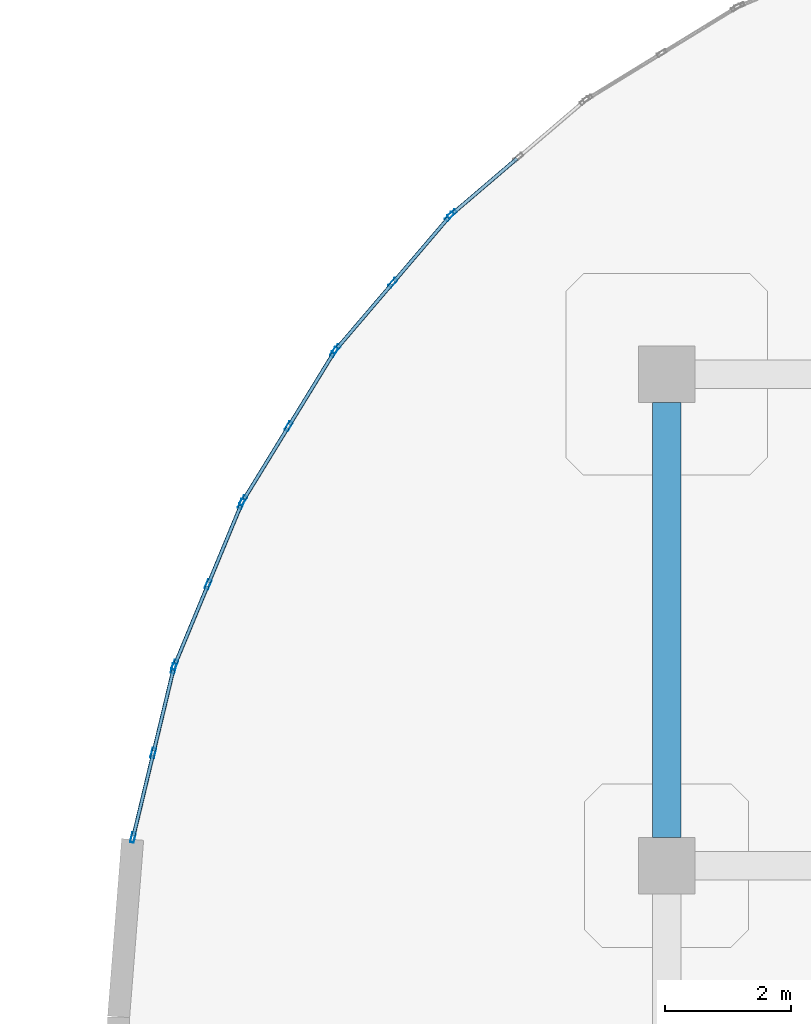
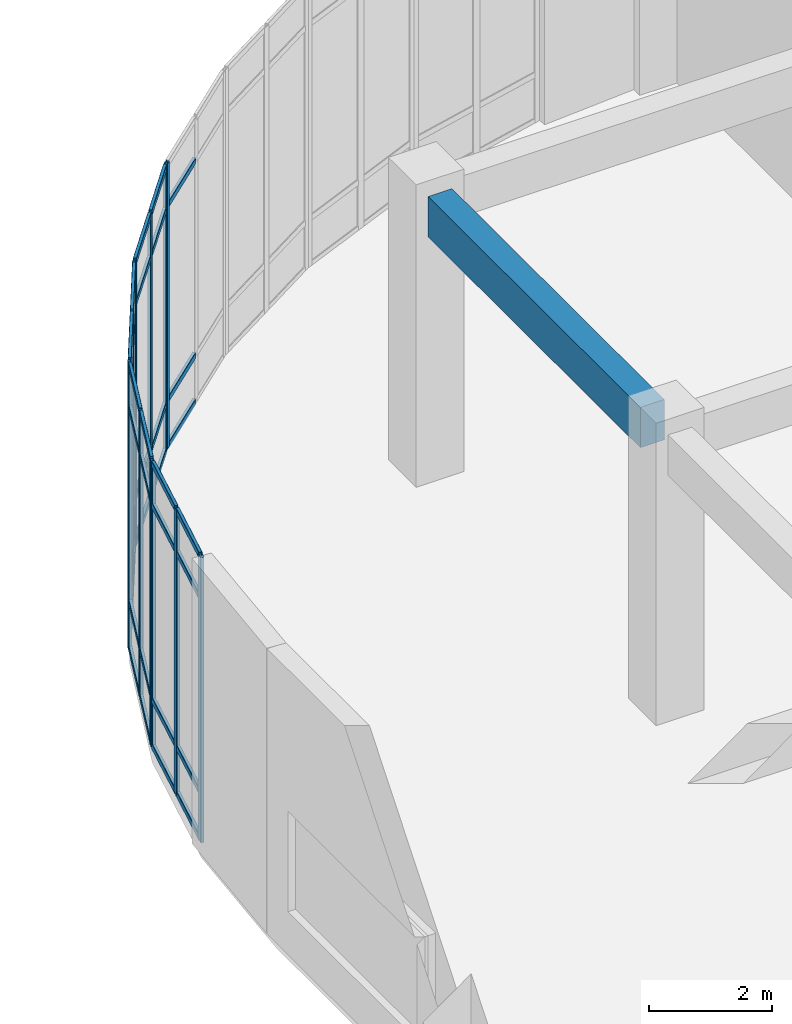
# One storey, part 20 of 82: 48 members, 1 beam, 5 elements without a shape of their own.
"""IFC4 building model written with IfcOpenShell, lengths in metres."""

from ifc_helpers import new_model, si_unit, derived_unit, direction, frame, origin, origin_2d, place, context, subcontext, project, spatial, rectangle, hollow_rectangle, extrude, material, layer, layer_set, material_profile, profile_set, type_object, element, aggregate, save


model = new_model("IFC4")

# Units and contexts
model_context = context("Model", 3, precision=1e-05, world=origin(), true_north=direction((0.0, 1.0)))
body_context = subcontext(model_context, "Body", "Model", "MODEL_VIEW")
ifc_project = project(units=[si_unit("LENGTHUNIT", "METRE"), si_unit("AREAUNIT", "SQUARE_METRE"), si_unit("VOLUMEUNIT", "CUBIC_METRE"), si_unit("PLANEANGLEUNIT", "RADIAN"), si_unit("MASSUNIT", "GRAM", prefix="KILO"), derived_unit("THERMALTRANSMITTANCEUNIT", [(si_unit("MASSUNIT", "GRAM", prefix="KILO"), 1), (si_unit("TIMEUNIT", "SECOND"), -3), (si_unit("THERMODYNAMICTEMPERATUREUNIT", "KELVIN"), -1)])], contexts=[model_context])

# Site, building, storey
site_placement = place(None, origin())
site = spatial("IfcSite", under=ifc_project, at=site_placement, CompositionType="ELEMENT")
building_placement = place(site_placement, origin())
building = spatial("IfcBuilding", under=site, at=building_placement, Name="Qinzheling Arcade Emporium", CompositionType="ELEMENT")
storey_placement = place(building_placement, origin())
storey = spatial("IfcBuildingStorey", under=building, at=storey_placement, Name="L01", CompositionType="ELEMENT", Elevation=0.0)

# Curtain wall, members
ifc_material_1 = material(Name="Anodised aluminium and solar-control double glazing", Category="aluminium")
ifc_layer = layer(ifc_material_1, 0.159912109375, Name="Anodised aluminium and solar-control double glazing", Category="aluminium")
ifc_layer_set = layer_set([ifc_layer], Name="Anodised aluminium and solar-control double glazing")
curtain_wall_type = type_object("IfcCurtainWallType", Name="Curved Ribbon Sales Curtain Wall", PredefinedType="NOTDEFINED", material=ifc_layer_set)
curtain_wall_1_placement = place(storey_placement, origin())
curtain_wall_1 = element("IfcCurtainWall", 1, at=curtain_wall_1_placement, inside=storey, type_object=curtain_wall_type, Name="Curtain Wall CW-L01-027", PredefinedType="NOTDEFINED")
ifc_material_2 = material(Name="Anodised aluminium 6063-T6", Category="aluminium")
ifc_material_profile_1 = material_profile(ifc_material_2, hollow_rectangle(XDim=0.06005859375, YDim=0.159912109375, WallThickness=0.00390625, InnerFilletRadius=0.00390625, OuterFilletRadius=0.008056640625, at=origin_2d()), Name="RHS 160x60x4", Category="aluminium")
ifc_profile_set_1 = profile_set([ifc_material_profile_1], Name="Anodised aluminium 6063-T6")
member_type_1 = type_object("IfcMemberType", Name="Curtain Wall Mullion RHS160x60", PredefinedType="MULLION", material=ifc_profile_set_1)
member_1_placement = place(storey_placement, frame((52.428955078125, 99.445068359375, 0.0), z_axis=(0.0, 0.0, 1.0), x_axis=(-0.972390516216, 0.233359559423, 0.0)))
member_1 = element("IfcMember", 2, at=member_1_placement, type_object=member_type_1, Name="CW02 mullion 1", PredefinedType="MULLION", context=body_context, shape_type="SweptSolid", body=[
    extrude(hollow_rectangle(XDim=0.06005859375, YDim=0.159912109375, WallThickness=0.00390625, InnerFilletRadius=0.00390625, OuterFilletRadius=0.008056640625, at=origin_2d()), origin(), (0.0, 0.0, 1.0), 5.659912109375),
])
member_2_placement = place(storey_placement, frame((52.75146484375, 100.7890625, 0.0), z_axis=(0.0, 0.0, 1.0), x_axis=(-0.972390516216, 0.233359559423, 0.0)))
member_2 = element("IfcMember", 3, at=member_2_placement, type_object=member_type_1, Name="CW02 mullion 2", PredefinedType="MULLION", context=body_context, shape_type="SweptSolid", body=[
    extrude(hollow_rectangle(XDim=0.06005859375, YDim=0.159912109375, WallThickness=0.00390625, InnerFilletRadius=0.00390625, OuterFilletRadius=0.008056640625, at=origin_2d()), origin(), (0.0, 0.0, 1.0), 5.659912109375),
])
member_3_placement = place(storey_placement, frame((53.073974609375, 102.1328125, 0.0), z_axis=(0.0, 0.0, 1.0), x_axis=(-0.972390516216, 0.233359559423, 0.0)))
member_3 = element("IfcMember", 4, at=member_3_placement, type_object=member_type_1, Name="CW02 mullion 3", PredefinedType="MULLION", context=body_context, shape_type="SweptSolid", body=[
    extrude(hollow_rectangle(XDim=0.06005859375, YDim=0.159912109375, WallThickness=0.00390625, InnerFilletRadius=0.00390625, OuterFilletRadius=0.008056640625, at=origin_2d()), origin(), (0.0, 0.0, 1.0), 5.659912109375),
])

curtain_wall_2_placement = place(storey_placement, origin())
curtain_wall_2 = element("IfcCurtainWall", 5, at=curtain_wall_2_placement, inside=storey, type_object=curtain_wall_type, Name="Curtain Wall CW-L01-028", PredefinedType="NOTDEFINED")
member_4_placement = place(storey_placement, frame((53.092529296875, 102.189697265625, 0.0), z_axis=(0.0, 0.0, 1.0), x_axis=(-0.923891721508, 0.382654004198, 0.0)))
member_4 = element("IfcMember", 6, at=member_4_placement, type_object=member_type_1, Name="CW02 mullion 1", PredefinedType="MULLION", context=body_context, shape_type="SweptSolid", body=[
    extrude(hollow_rectangle(XDim=0.06005859375, YDim=0.159912109375, WallThickness=0.00390625, InnerFilletRadius=0.00390625, OuterFilletRadius=0.008056640625, at=origin_2d()), origin(), (0.0, 0.0, 1.0), 5.659912109375),
])
member_5_placement = place(storey_placement, frame((53.62158203125, 103.467041015625, 0.0), z_axis=(0.0, 0.0, 1.0), x_axis=(-0.923891721508, 0.382654004198, 0.0)))
member_5 = element("IfcMember", 7, at=member_5_placement, type_object=member_type_1, Name="CW02 mullion 2", PredefinedType="MULLION", context=body_context, shape_type="SweptSolid", body=[
    extrude(hollow_rectangle(XDim=0.06005859375, YDim=0.159912109375, WallThickness=0.00390625, InnerFilletRadius=0.00390625, OuterFilletRadius=0.008056640625, at=origin_2d()), origin(), (0.0, 0.0, 1.0), 5.659912109375),
])
member_6_placement = place(storey_placement, frame((54.150634765625, 104.744384765625, 0.0), z_axis=(0.0, 0.0, 1.0), x_axis=(-0.923891721508, 0.382654004198, 0.0)))
member_6 = element("IfcMember", 8, at=member_6_placement, type_object=member_type_1, Name="CW02 mullion 3", PredefinedType="MULLION", context=body_context, shape_type="SweptSolid", body=[
    extrude(hollow_rectangle(XDim=0.06005859375, YDim=0.159912109375, WallThickness=0.00390625, InnerFilletRadius=0.00390625, OuterFilletRadius=0.008056640625, at=origin_2d()), origin(), (0.0, 0.0, 1.0), 5.659912109375),
])

curtain_wall_3_placement = place(storey_placement, origin())
curtain_wall_3 = element("IfcCurtainWall", 9, at=curtain_wall_3_placement, inside=storey, type_object=curtain_wall_type, Name="Curtain Wall CW-L01-029", PredefinedType="NOTDEFINED")
member_7_placement = place(storey_placement, frame((54.177734375, 104.797607421875, 0.0), z_axis=(0.0, 0.0, 1.0), x_axis=(-0.852580897222, 0.522595267575, 0.0)))
member_7 = element("IfcMember", 10, at=member_7_placement, type_object=member_type_1, Name="CW02 mullion 1", PredefinedType="MULLION", context=body_context, shape_type="SweptSolid", body=[
    extrude(hollow_rectangle(XDim=0.06005859375, YDim=0.159912109375, WallThickness=0.00390625, InnerFilletRadius=0.00390625, OuterFilletRadius=0.008056640625, at=origin_2d()), origin(), (0.0, 0.0, 1.0), 5.659912109375),
])
member_8_placement = place(storey_placement, frame((54.89990234375, 105.97607421875, 0.0), z_axis=(0.0, 0.0, 1.0), x_axis=(-0.852580897222, 0.522595267575, 0.0)))
member_8 = element("IfcMember", 11, at=member_8_placement, type_object=member_type_1, Name="CW02 mullion 2", PredefinedType="MULLION", context=body_context, shape_type="SweptSolid", body=[
    extrude(hollow_rectangle(XDim=0.06005859375, YDim=0.159912109375, WallThickness=0.00390625, InnerFilletRadius=0.00390625, OuterFilletRadius=0.008056640625, at=origin_2d()), origin(), (0.0, 0.0, 1.0), 5.659912109375),
])
member_9_placement = place(storey_placement, frame((55.622314453125, 107.154541015625, 0.0), z_axis=(0.0, 0.0, 1.0), x_axis=(-0.852580897222, 0.522595267575, 0.0)))
member_9 = element("IfcMember", 12, at=member_9_placement, type_object=member_type_1, Name="CW02 mullion 3", PredefinedType="MULLION", context=body_context, shape_type="SweptSolid", body=[
    extrude(hollow_rectangle(XDim=0.06005859375, YDim=0.159912109375, WallThickness=0.00390625, InnerFilletRadius=0.00390625, OuterFilletRadius=0.008056640625, at=origin_2d()), origin(), (0.0, 0.0, 1.0), 5.659912109375),
])

curtain_wall_4_placement = place(storey_placement, origin())
curtain_wall_4 = element("IfcCurtainWall", 13, at=curtain_wall_4_placement, inside=storey, type_object=curtain_wall_type, Name="Curtain Wall CW-L01-030", PredefinedType="NOTDEFINED")
member_10_placement = place(storey_placement, frame((55.657470703125, 107.202880859375, 0.0), z_axis=(0.0, 0.0, 1.0), x_axis=(-0.760504799831, 0.64933231048, 0.0)))
member_10 = element("IfcMember", 14, at=member_10_placement, type_object=member_type_1, Name="CW02 mullion 1", PredefinedType="MULLION", context=body_context, shape_type="SweptSolid", body=[
    extrude(hollow_rectangle(XDim=0.06005859375, YDim=0.159912109375, WallThickness=0.00390625, InnerFilletRadius=0.00390625, OuterFilletRadius=0.008056640625, at=origin_2d()), origin(), (0.0, 0.0, 1.0), 5.659912109375),
])
member_11_placement = place(storey_placement, frame((56.554931640625, 108.25390625, 0.0), z_axis=(0.0, 0.0, 1.0), x_axis=(-0.760504799831, 0.64933231048, 0.0)))
member_11 = element("IfcMember", 15, at=member_11_placement, type_object=member_type_1, Name="CW02 mullion 2", PredefinedType="MULLION", context=body_context, shape_type="SweptSolid", body=[
    extrude(hollow_rectangle(XDim=0.06005859375, YDim=0.159912109375, WallThickness=0.00390625, InnerFilletRadius=0.00390625, OuterFilletRadius=0.008056640625, at=origin_2d()), origin(), (0.0, 0.0, 1.0), 5.659912109375),
])
member_12_placement = place(storey_placement, frame((57.45263671875, 109.30517578125, 0.0), z_axis=(0.0, 0.0, 1.0), x_axis=(-0.760504799831, 0.64933231048, 0.0)))
member_12 = element("IfcMember", 16, at=member_12_placement, type_object=member_type_1, Name="CW02 mullion 3", PredefinedType="MULLION", context=body_context, shape_type="SweptSolid", body=[
    extrude(hollow_rectangle(XDim=0.06005859375, YDim=0.159912109375, WallThickness=0.00390625, InnerFilletRadius=0.00390625, OuterFilletRadius=0.008056640625, at=origin_2d()), origin(), (0.0, 0.0, 1.0), 5.659912109375),
])

# Curtain wall, member
curtain_wall_5_placement = place(storey_placement, origin())
curtain_wall_5 = element("IfcCurtainWall", 17, at=curtain_wall_5_placement, inside=storey, type_object=curtain_wall_type, Name="Curtain Wall CW-L01-031", PredefinedType="NOTDEFINED")
member_13_placement = place(storey_placement, frame((57.494873046875, 109.347412109375, 0.0), z_axis=(0.0, 0.0, 1.0), x_axis=(-0.64933231048, 0.760504799831, 0.0)))
member_13 = element("IfcMember", 18, at=member_13_placement, type_object=member_type_1, Name="CW02 mullion 1", PredefinedType="MULLION", context=body_context, shape_type="SweptSolid", body=[
    extrude(hollow_rectangle(XDim=0.06005859375, YDim=0.159912109375, WallThickness=0.00390625, InnerFilletRadius=0.00390625, OuterFilletRadius=0.008056640625, at=origin_2d()), origin(), (0.0, 0.0, 1.0), 5.659912109375),
])

# Member
ifc_material_profile_2 = material_profile(ifc_material_2, hollow_rectangle(XDim=0.06005859375, YDim=0.1201171875, WallThickness=0.00390625, InnerFilletRadius=0.00390625, OuterFilletRadius=0.008056640625, at=origin_2d()), Name="RHS 120x60x4", Category="aluminium")
ifc_profile_set_2 = profile_set([ifc_material_profile_2], Name="Anodised aluminium 6063-T6")
member_type_2 = type_object("IfcMemberType", Name="Curtain Wall Transom RHS120x60", PredefinedType="USERDEFINED", material=ifc_profile_set_2)
member_14_placement = place(storey_placement, frame((52.43603515625, 99.474365234375, 0.030029296875), z_axis=(0.233268170265, 0.97241244374, 0.0), x_axis=(-0.97241244374, 0.233268170265, 0.0)))
member_14 = element("IfcMember", 19, at=member_14_placement, type_object=member_type_2, Name="CW02 transom 1.1", ObjectType="TRANSOM", PredefinedType="USERDEFINED", context=body_context, shape_type="SweptSolid", body=[
    extrude(hollow_rectangle(XDim=0.06005859375, YDim=0.1201171875, WallThickness=0.00390625, InnerFilletRadius=0.00390625, OuterFilletRadius=0.008056640625, at=origin_2d()), origin(), (0.0, 0.0, 1.0), 1.32177734375),
])

member_15_placement = place(storey_placement, frame((52.43603515625, 99.474365234375, 0.949951171875), z_axis=(0.233268170265, 0.97241244374, 0.0), x_axis=(-0.97241244374, 0.233268170265, 0.0)))
member_15 = element("IfcMember", 20, at=member_15_placement, type_object=member_type_2, Name="CW02 transom 1.2", ObjectType="TRANSOM", PredefinedType="USERDEFINED", context=body_context, shape_type="SweptSolid", body=[
    extrude(hollow_rectangle(XDim=0.06005859375, YDim=0.1201171875, WallThickness=0.00390625, InnerFilletRadius=0.00390625, OuterFilletRadius=0.008056640625, at=origin_2d()), origin(), (0.0, 0.0, 1.0), 1.32177734375),
])

member_16_placement = place(storey_placement, frame((52.43603515625, 99.474365234375, 4.81005859375), z_axis=(0.233268170265, 0.97241244374, 0.0), x_axis=(-0.97241244374, 0.233268170265, 0.0)))
member_16 = element("IfcMember", 21, at=member_16_placement, type_object=member_type_2, Name="CW02 transom 1.3", ObjectType="TRANSOM", PredefinedType="USERDEFINED", context=body_context, shape_type="SweptSolid", body=[
    extrude(hollow_rectangle(XDim=0.06005859375, YDim=0.1201171875, WallThickness=0.00390625, InnerFilletRadius=0.00390625, OuterFilletRadius=0.008056640625, at=origin_2d()), origin(), (0.0, 0.0, 1.0), 1.32177734375),
])

member_17_placement = place(storey_placement, frame((52.43603515625, 99.474365234375, 5.6298828125), z_axis=(0.233268170265, 0.97241244374, 0.0), x_axis=(-0.97241244374, 0.233268170265, 0.0)))
member_17 = element("IfcMember", 22, at=member_17_placement, type_object=member_type_2, Name="CW02 transom 1.4", ObjectType="TRANSOM", PredefinedType="USERDEFINED", context=body_context, shape_type="SweptSolid", body=[
    extrude(hollow_rectangle(XDim=0.06005859375, YDim=0.1201171875, WallThickness=0.00390625, InnerFilletRadius=0.00390625, OuterFilletRadius=0.008056640625, at=origin_2d()), origin(), (0.0, 0.0, 1.0), 1.32177734375),
])

member_18_placement = place(storey_placement, frame((52.758544921875, 100.818115234375, 0.030029296875), z_axis=(0.233226282964, 0.972422490965, 0.0), x_axis=(-0.972422490965, 0.233226282964, 0.0)))
member_18 = element("IfcMember", 23, at=member_18_placement, type_object=member_type_2, Name="CW02 transom 2.1", ObjectType="TRANSOM", PredefinedType="USERDEFINED", context=body_context, shape_type="SweptSolid", body=[
    extrude(hollow_rectangle(XDim=0.06005859375, YDim=0.1201171875, WallThickness=0.00390625, InnerFilletRadius=0.00390625, OuterFilletRadius=0.008056640625, at=origin_2d()), origin(), (0.0, 0.0, 1.0), 1.322021484375),
])

member_19_placement = place(storey_placement, frame((52.758544921875, 100.818115234375, 0.949951171875), z_axis=(0.233226282964, 0.972422490965, 0.0), x_axis=(-0.972422490965, 0.233226282964, 0.0)))
member_19 = element("IfcMember", 24, at=member_19_placement, type_object=member_type_2, Name="CW02 transom 2.2", ObjectType="TRANSOM", PredefinedType="USERDEFINED", context=body_context, shape_type="SweptSolid", body=[
    extrude(hollow_rectangle(XDim=0.06005859375, YDim=0.1201171875, WallThickness=0.00390625, InnerFilletRadius=0.00390625, OuterFilletRadius=0.008056640625, at=origin_2d()), origin(), (0.0, 0.0, 1.0), 1.322021484375),
])

member_20_placement = place(storey_placement, frame((52.758544921875, 100.818115234375, 4.81005859375), z_axis=(0.233226282964, 0.972422490965, 0.0), x_axis=(-0.972422490965, 0.233226282964, 0.0)))
member_20 = element("IfcMember", 25, at=member_20_placement, type_object=member_type_2, Name="CW02 transom 2.3", ObjectType="TRANSOM", PredefinedType="USERDEFINED", context=body_context, shape_type="SweptSolid", body=[
    extrude(hollow_rectangle(XDim=0.06005859375, YDim=0.1201171875, WallThickness=0.00390625, InnerFilletRadius=0.00390625, OuterFilletRadius=0.008056640625, at=origin_2d()), origin(), (0.0, 0.0, 1.0), 1.322021484375),
])

member_21_placement = place(storey_placement, frame((52.758544921875, 100.818115234375, 5.6298828125), z_axis=(0.233226282964, 0.972422490965, 0.0), x_axis=(-0.972422490965, 0.233226282964, 0.0)))
member_21 = element("IfcMember", 26, at=member_21_placement, type_object=member_type_2, Name="CW02 transom 2.4", ObjectType="TRANSOM", PredefinedType="USERDEFINED", context=body_context, shape_type="SweptSolid", body=[
    extrude(hollow_rectangle(XDim=0.06005859375, YDim=0.1201171875, WallThickness=0.00390625, InnerFilletRadius=0.00390625, OuterFilletRadius=0.008056640625, at=origin_2d()), origin(), (0.0, 0.0, 1.0), 1.322021484375),
])

aggregate(curtain_wall_1, [member_1, member_2, member_3, member_14, member_15, member_16, member_17, member_18, member_19, member_20, member_21])

member_22_placement = place(storey_placement, frame((53.10400390625, 102.217529296875, 0.030029296875), z_axis=(0.382726820974, 0.923861559167, 0.0), x_axis=(-0.923861559167, 0.382726820974, 0.0)))
member_22 = element("IfcMember", 27, at=member_22_placement, type_object=member_type_2, Name="CW02 transom 1.1", ObjectType="TRANSOM", PredefinedType="USERDEFINED", context=body_context, shape_type="SweptSolid", body=[
    extrude(hollow_rectangle(XDim=0.06005859375, YDim=0.1201171875, WallThickness=0.00390625, InnerFilletRadius=0.00390625, OuterFilletRadius=0.008056640625, at=origin_2d()), origin(), (0.0, 0.0, 1.0), 1.322265625),
])

member_23_placement = place(storey_placement, frame((53.10400390625, 102.217529296875, 0.949951171875), z_axis=(0.382726820974, 0.923861559167, 0.0), x_axis=(-0.923861559167, 0.382726820974, 0.0)))
member_23 = element("IfcMember", 28, at=member_23_placement, type_object=member_type_2, Name="CW02 transom 1.2", ObjectType="TRANSOM", PredefinedType="USERDEFINED", context=body_context, shape_type="SweptSolid", body=[
    extrude(hollow_rectangle(XDim=0.06005859375, YDim=0.1201171875, WallThickness=0.00390625, InnerFilletRadius=0.00390625, OuterFilletRadius=0.008056640625, at=origin_2d()), origin(), (0.0, 0.0, 1.0), 1.322265625),
])

member_24_placement = place(storey_placement, frame((53.10400390625, 102.217529296875, 4.81005859375), z_axis=(0.382726820974, 0.923861559167, 0.0), x_axis=(-0.923861559167, 0.382726820974, 0.0)))
member_24 = element("IfcMember", 29, at=member_24_placement, type_object=member_type_2, Name="CW02 transom 1.3", ObjectType="TRANSOM", PredefinedType="USERDEFINED", context=body_context, shape_type="SweptSolid", body=[
    extrude(hollow_rectangle(XDim=0.06005859375, YDim=0.1201171875, WallThickness=0.00390625, InnerFilletRadius=0.00390625, OuterFilletRadius=0.008056640625, at=origin_2d()), origin(), (0.0, 0.0, 1.0), 1.322265625),
])

member_25_placement = place(storey_placement, frame((53.10400390625, 102.217529296875, 5.6298828125), z_axis=(0.382726820974, 0.923861559167, 0.0), x_axis=(-0.923861559167, 0.382726820974, 0.0)))
member_25 = element("IfcMember", 30, at=member_25_placement, type_object=member_type_2, Name="CW02 transom 1.4", ObjectType="TRANSOM", PredefinedType="USERDEFINED", context=body_context, shape_type="SweptSolid", body=[
    extrude(hollow_rectangle(XDim=0.06005859375, YDim=0.1201171875, WallThickness=0.00390625, InnerFilletRadius=0.00390625, OuterFilletRadius=0.008056640625, at=origin_2d()), origin(), (0.0, 0.0, 1.0), 1.322265625),
])

member_26_placement = place(storey_placement, frame((53.633056640625, 103.49462890625, 0.030029296875), z_axis=(0.382661550363, 0.92388859603, 0.0), x_axis=(-0.92388859603, 0.382661550363, 0.0)))
member_26 = element("IfcMember", 31, at=member_26_placement, type_object=member_type_2, Name="CW02 transom 2.1", ObjectType="TRANSOM", PredefinedType="USERDEFINED", context=body_context, shape_type="SweptSolid", body=[
    extrude(hollow_rectangle(XDim=0.06005859375, YDim=0.1201171875, WallThickness=0.00390625, InnerFilletRadius=0.00390625, OuterFilletRadius=0.008056640625, at=origin_2d()), origin(), (0.0, 0.0, 1.0), 1.322509765625),
])

member_27_placement = place(storey_placement, frame((53.633056640625, 103.49462890625, 0.949951171875), z_axis=(0.382661550363, 0.92388859603, 0.0), x_axis=(-0.92388859603, 0.382661550363, 0.0)))
member_27 = element("IfcMember", 32, at=member_27_placement, type_object=member_type_2, Name="CW02 transom 2.2", ObjectType="TRANSOM", PredefinedType="USERDEFINED", context=body_context, shape_type="SweptSolid", body=[
    extrude(hollow_rectangle(XDim=0.06005859375, YDim=0.1201171875, WallThickness=0.00390625, InnerFilletRadius=0.00390625, OuterFilletRadius=0.008056640625, at=origin_2d()), origin(), (0.0, 0.0, 1.0), 1.322509765625),
])

member_28_placement = place(storey_placement, frame((53.633056640625, 103.49462890625, 4.81005859375), z_axis=(0.382661550363, 0.92388859603, 0.0), x_axis=(-0.92388859603, 0.382661550363, 0.0)))
member_28 = element("IfcMember", 33, at=member_28_placement, type_object=member_type_2, Name="CW02 transom 2.3", ObjectType="TRANSOM", PredefinedType="USERDEFINED", context=body_context, shape_type="SweptSolid", body=[
    extrude(hollow_rectangle(XDim=0.06005859375, YDim=0.1201171875, WallThickness=0.00390625, InnerFilletRadius=0.00390625, OuterFilletRadius=0.008056640625, at=origin_2d()), origin(), (0.0, 0.0, 1.0), 1.322509765625),
])

member_29_placement = place(storey_placement, frame((53.633056640625, 103.49462890625, 5.6298828125), z_axis=(0.382661550363, 0.92388859603, 0.0), x_axis=(-0.92388859603, 0.382661550363, 0.0)))
member_29 = element("IfcMember", 34, at=member_29_placement, type_object=member_type_2, Name="CW02 transom 2.4", ObjectType="TRANSOM", PredefinedType="USERDEFINED", context=body_context, shape_type="SweptSolid", body=[
    extrude(hollow_rectangle(XDim=0.06005859375, YDim=0.1201171875, WallThickness=0.00390625, InnerFilletRadius=0.00390625, OuterFilletRadius=0.008056640625, at=origin_2d()), origin(), (0.0, 0.0, 1.0), 1.322509765625),
])

aggregate(curtain_wall_2, [member_4, member_5, member_6, member_22, member_23, member_24, member_25, member_26, member_27, member_28, member_29])

member_30_placement = place(storey_placement, frame((54.193359375, 104.8232421875, 0.030029296875), z_axis=(0.522592368923, 0.852582673964, 0.0), x_axis=(-0.852582673964, 0.522592368923, 0.0)))
member_30 = element("IfcMember", 35, at=member_30_placement, type_object=member_type_2, Name="CW02 transom 1.1", ObjectType="TRANSOM", PredefinedType="USERDEFINED", context=body_context, shape_type="SweptSolid", body=[
    extrude(hollow_rectangle(XDim=0.06005859375, YDim=0.1201171875, WallThickness=0.00390625, InnerFilletRadius=0.00390625, OuterFilletRadius=0.008056640625, at=origin_2d()), origin(), (0.0, 0.0, 1.0), 1.322021484375),
])

member_31_placement = place(storey_placement, frame((54.193359375, 104.8232421875, 0.949951171875), z_axis=(0.522592368923, 0.852582673964, 0.0), x_axis=(-0.852582673964, 0.522592368923, 0.0)))
member_31 = element("IfcMember", 36, at=member_31_placement, type_object=member_type_2, Name="CW02 transom 1.2", ObjectType="TRANSOM", PredefinedType="USERDEFINED", context=body_context, shape_type="SweptSolid", body=[
    extrude(hollow_rectangle(XDim=0.06005859375, YDim=0.1201171875, WallThickness=0.00390625, InnerFilletRadius=0.00390625, OuterFilletRadius=0.008056640625, at=origin_2d()), origin(), (0.0, 0.0, 1.0), 1.322021484375),
])

member_32_placement = place(storey_placement, frame((54.193359375, 104.8232421875, 4.81005859375), z_axis=(0.522592368923, 0.852582673964, 0.0), x_axis=(-0.852582673964, 0.522592368923, 0.0)))
member_32 = element("IfcMember", 37, at=member_32_placement, type_object=member_type_2, Name="CW02 transom 1.3", ObjectType="TRANSOM", PredefinedType="USERDEFINED", context=body_context, shape_type="SweptSolid", body=[
    extrude(hollow_rectangle(XDim=0.06005859375, YDim=0.1201171875, WallThickness=0.00390625, InnerFilletRadius=0.00390625, OuterFilletRadius=0.008056640625, at=origin_2d()), origin(), (0.0, 0.0, 1.0), 1.322021484375),
])

member_33_placement = place(storey_placement, frame((54.193359375, 104.8232421875, 5.6298828125), z_axis=(0.522592368923, 0.852582673964, 0.0), x_axis=(-0.852582673964, 0.522592368923, 0.0)))
member_33 = element("IfcMember", 38, at=member_33_placement, type_object=member_type_2, Name="CW02 transom 1.4", ObjectType="TRANSOM", PredefinedType="USERDEFINED", context=body_context, shape_type="SweptSolid", body=[
    extrude(hollow_rectangle(XDim=0.06005859375, YDim=0.1201171875, WallThickness=0.00390625, InnerFilletRadius=0.00390625, OuterFilletRadius=0.008056640625, at=origin_2d()), origin(), (0.0, 0.0, 1.0), 1.322021484375),
])

member_34_placement = place(storey_placement, frame((54.915771484375, 106.00146484375, 0.030029296875), z_axis=(0.522510102869, 0.852633093657, 0.0), x_axis=(-0.852633093657, 0.522510102869, 0.0)))
member_34 = element("IfcMember", 39, at=member_34_placement, type_object=member_type_2, Name="CW02 transom 2.1", ObjectType="TRANSOM", PredefinedType="USERDEFINED", context=body_context, shape_type="SweptSolid", body=[
    extrude(hollow_rectangle(XDim=0.06005859375, YDim=0.1201171875, WallThickness=0.00390625, InnerFilletRadius=0.00390625, OuterFilletRadius=0.008056640625, at=origin_2d()), origin(), (0.0, 0.0, 1.0), 1.322265625),
])

member_35_placement = place(storey_placement, frame((54.915771484375, 106.00146484375, 0.949951171875), z_axis=(0.522510102869, 0.852633093657, 0.0), x_axis=(-0.852633093657, 0.522510102869, 0.0)))
member_35 = element("IfcMember", 40, at=member_35_placement, type_object=member_type_2, Name="CW02 transom 2.2", ObjectType="TRANSOM", PredefinedType="USERDEFINED", context=body_context, shape_type="SweptSolid", body=[
    extrude(hollow_rectangle(XDim=0.06005859375, YDim=0.1201171875, WallThickness=0.00390625, InnerFilletRadius=0.00390625, OuterFilletRadius=0.008056640625, at=origin_2d()), origin(), (0.0, 0.0, 1.0), 1.322265625),
])

member_36_placement = place(storey_placement, frame((54.915771484375, 106.00146484375, 4.81005859375), z_axis=(0.522510102869, 0.852633093657, 0.0), x_axis=(-0.852633093657, 0.522510102869, 0.0)))
member_36 = element("IfcMember", 41, at=member_36_placement, type_object=member_type_2, Name="CW02 transom 2.3", ObjectType="TRANSOM", PredefinedType="USERDEFINED", context=body_context, shape_type="SweptSolid", body=[
    extrude(hollow_rectangle(XDim=0.06005859375, YDim=0.1201171875, WallThickness=0.00390625, InnerFilletRadius=0.00390625, OuterFilletRadius=0.008056640625, at=origin_2d()), origin(), (0.0, 0.0, 1.0), 1.322265625),
])

member_37_placement = place(storey_placement, frame((54.915771484375, 106.00146484375, 5.6298828125), z_axis=(0.522510102869, 0.852633093657, 0.0), x_axis=(-0.852633093657, 0.522510102869, 0.0)))
member_37 = element("IfcMember", 42, at=member_37_placement, type_object=member_type_2, Name="CW02 transom 2.4", ObjectType="TRANSOM", PredefinedType="USERDEFINED", context=body_context, shape_type="SweptSolid", body=[
    extrude(hollow_rectangle(XDim=0.06005859375, YDim=0.1201171875, WallThickness=0.00390625, InnerFilletRadius=0.00390625, OuterFilletRadius=0.008056640625, at=origin_2d()), origin(), (0.0, 0.0, 1.0), 1.322265625),
])

aggregate(curtain_wall_3, [member_7, member_8, member_9, member_30, member_31, member_32, member_33, member_34, member_35, member_36, member_37])

member_38_placement = place(storey_placement, frame((55.677001953125, 107.2255859375, 0.030029296875), z_axis=(0.649238932665, 0.760584517534, 0.0), x_axis=(-0.760584517534, 0.649238932665, 0.0)))
member_38 = element("IfcMember", 43, at=member_38_placement, type_object=member_type_2, Name="CW02 transom 1.1", ObjectType="TRANSOM", PredefinedType="USERDEFINED", context=body_context, shape_type="SweptSolid", body=[
    extrude(hollow_rectangle(XDim=0.06005859375, YDim=0.1201171875, WallThickness=0.00390625, InnerFilletRadius=0.00390625, OuterFilletRadius=0.008056640625, at=origin_2d()), origin(), (0.0, 0.0, 1.0), 1.322265625),
])

member_39_placement = place(storey_placement, frame((55.677001953125, 107.2255859375, 0.949951171875), z_axis=(0.649238932665, 0.760584517534, 0.0), x_axis=(-0.760584517534, 0.649238932665, 0.0)))
member_39 = element("IfcMember", 44, at=member_39_placement, type_object=member_type_2, Name="CW02 transom 1.2", ObjectType="TRANSOM", PredefinedType="USERDEFINED", context=body_context, shape_type="SweptSolid", body=[
    extrude(hollow_rectangle(XDim=0.06005859375, YDim=0.1201171875, WallThickness=0.00390625, InnerFilletRadius=0.00390625, OuterFilletRadius=0.008056640625, at=origin_2d()), origin(), (0.0, 0.0, 1.0), 1.322265625),
])

member_40_placement = place(storey_placement, frame((55.677001953125, 107.2255859375, 4.81005859375), z_axis=(0.649238932665, 0.760584517534, 0.0), x_axis=(-0.760584517534, 0.649238932665, 0.0)))
member_40 = element("IfcMember", 45, at=member_40_placement, type_object=member_type_2, Name="CW02 transom 1.3", ObjectType="TRANSOM", PredefinedType="USERDEFINED", context=body_context, shape_type="SweptSolid", body=[
    extrude(hollow_rectangle(XDim=0.06005859375, YDim=0.1201171875, WallThickness=0.00390625, InnerFilletRadius=0.00390625, OuterFilletRadius=0.008056640625, at=origin_2d()), origin(), (0.0, 0.0, 1.0), 1.322265625),
])

member_41_placement = place(storey_placement, frame((55.677001953125, 107.2255859375, 5.6298828125), z_axis=(0.649238932665, 0.760584517534, 0.0), x_axis=(-0.760584517534, 0.649238932665, 0.0)))
member_41 = element("IfcMember", 46, at=member_41_placement, type_object=member_type_2, Name="CW02 transom 1.4", ObjectType="TRANSOM", PredefinedType="USERDEFINED", context=body_context, shape_type="SweptSolid", body=[
    extrude(hollow_rectangle(XDim=0.06005859375, YDim=0.1201171875, WallThickness=0.00390625, InnerFilletRadius=0.00390625, OuterFilletRadius=0.008056640625, at=origin_2d()), origin(), (0.0, 0.0, 1.0), 1.322265625),
])

member_42_placement = place(storey_placement, frame((56.574462890625, 108.27685546875, 0.030029296875), z_axis=(0.649345732985, 0.760493339257, 0.0), x_axis=(-0.760493339257, 0.649345732985, 0.0)))
member_42 = element("IfcMember", 47, at=member_42_placement, type_object=member_type_2, Name="CW02 transom 2.1", ObjectType="TRANSOM", PredefinedType="USERDEFINED", context=body_context, shape_type="SweptSolid", body=[
    extrude(hollow_rectangle(XDim=0.06005859375, YDim=0.1201171875, WallThickness=0.00390625, InnerFilletRadius=0.00390625, OuterFilletRadius=0.008056640625, at=origin_2d()), origin(), (0.0, 0.0, 1.0), 1.322265625),
])

member_43_placement = place(storey_placement, frame((56.574462890625, 108.27685546875, 0.949951171875), z_axis=(0.649345732985, 0.760493339257, 0.0), x_axis=(-0.760493339257, 0.649345732985, 0.0)))
member_43 = element("IfcMember", 48, at=member_43_placement, type_object=member_type_2, Name="CW02 transom 2.2", ObjectType="TRANSOM", PredefinedType="USERDEFINED", context=body_context, shape_type="SweptSolid", body=[
    extrude(hollow_rectangle(XDim=0.06005859375, YDim=0.1201171875, WallThickness=0.00390625, InnerFilletRadius=0.00390625, OuterFilletRadius=0.008056640625, at=origin_2d()), origin(), (0.0, 0.0, 1.0), 1.322265625),
])

member_44_placement = place(storey_placement, frame((56.574462890625, 108.27685546875, 4.81005859375), z_axis=(0.649345732985, 0.760493339257, 0.0), x_axis=(-0.760493339257, 0.649345732985, 0.0)))
member_44 = element("IfcMember", 49, at=member_44_placement, type_object=member_type_2, Name="CW02 transom 2.3", ObjectType="TRANSOM", PredefinedType="USERDEFINED", context=body_context, shape_type="SweptSolid", body=[
    extrude(hollow_rectangle(XDim=0.06005859375, YDim=0.1201171875, WallThickness=0.00390625, InnerFilletRadius=0.00390625, OuterFilletRadius=0.008056640625, at=origin_2d()), origin(), (0.0, 0.0, 1.0), 1.322265625),
])

member_45_placement = place(storey_placement, frame((56.574462890625, 108.27685546875, 5.6298828125), z_axis=(0.649345732985, 0.760493339257, 0.0), x_axis=(-0.760493339257, 0.649345732985, 0.0)))
member_45 = element("IfcMember", 50, at=member_45_placement, type_object=member_type_2, Name="CW02 transom 2.4", ObjectType="TRANSOM", PredefinedType="USERDEFINED", context=body_context, shape_type="SweptSolid", body=[
    extrude(hollow_rectangle(XDim=0.06005859375, YDim=0.1201171875, WallThickness=0.00390625, InnerFilletRadius=0.00390625, OuterFilletRadius=0.008056640625, at=origin_2d()), origin(), (0.0, 0.0, 1.0), 1.322265625),
])

aggregate(curtain_wall_4, [member_10, member_11, member_12, member_38, member_39, member_40, member_41, member_42, member_43, member_44, member_45])

member_46_placement = place(storey_placement, frame((57.517578125, 109.366943359375, 0.030029296875), z_axis=(0.760493339257, 0.649345732985, 0.0), x_axis=(-0.649345732985, 0.760493339257, 0.0)))
member_46 = element("IfcMember", 51, at=member_46_placement, type_object=member_type_2, Name="CW02 transom 1.1", ObjectType="TRANSOM", PredefinedType="USERDEFINED", context=body_context, shape_type="SweptSolid", body=[
    extrude(hollow_rectangle(XDim=0.06005859375, YDim=0.1201171875, WallThickness=0.00390625, InnerFilletRadius=0.00390625, OuterFilletRadius=0.008056640625, at=origin_2d()), origin(), (0.0, 0.0, 1.0), 1.322265625),
])

member_47_placement = place(storey_placement, frame((57.517578125, 109.366943359375, 0.949951171875), z_axis=(0.760493339257, 0.649345732985, 0.0), x_axis=(-0.649345732985, 0.760493339257, 0.0)))
member_47 = element("IfcMember", 52, at=member_47_placement, type_object=member_type_2, Name="CW02 transom 1.2", ObjectType="TRANSOM", PredefinedType="USERDEFINED", context=body_context, shape_type="SweptSolid", body=[
    extrude(hollow_rectangle(XDim=0.06005859375, YDim=0.1201171875, WallThickness=0.00390625, InnerFilletRadius=0.00390625, OuterFilletRadius=0.008056640625, at=origin_2d()), origin(), (0.0, 0.0, 1.0), 1.322265625),
])

member_48_placement = place(storey_placement, frame((57.517578125, 109.366943359375, 4.81005859375), z_axis=(0.760493339257, 0.649345732985, 0.0), x_axis=(-0.649345732985, 0.760493339257, 0.0)))
member_48 = element("IfcMember", 53, at=member_48_placement, type_object=member_type_2, Name="CW02 transom 1.3", ObjectType="TRANSOM", PredefinedType="USERDEFINED", context=body_context, shape_type="SweptSolid", body=[
    extrude(hollow_rectangle(XDim=0.06005859375, YDim=0.1201171875, WallThickness=0.00390625, InnerFilletRadius=0.00390625, OuterFilletRadius=0.008056640625, at=origin_2d()), origin(), (0.0, 0.0, 1.0), 1.322265625),
])

aggregate(curtain_wall_5, [member_13, member_46, member_47, member_48])

# Beam
ifc_material_3 = material(Name="Concrete C40", Category="concrete")
ifc_material_profile_3 = material_profile(ifc_material_3, rectangle(XDim=0.449951171875, YDim=0.800048828125, at=origin_2d()), Name="RC 450x800", Category="concrete")
ifc_profile_set_3 = profile_set([ifc_material_profile_3], Name="Concrete C40")
beam_type = type_object("IfcBeamType", Name="RC Primary Frame Beam 450x800 C40", PredefinedType="BEAM", material=ifc_profile_set_3)
beam_placement = place(storey_placement, frame((60.89990234375, 99.449951171875, 5.2900390625), z_axis=(0.0, 1.0, 0.0), x_axis=(-1.0, 0.0, 0.0)))
element("IfcBeam", 54, at=beam_placement, inside=storey, type_object=beam_type, Name="Beam BM-L01-Y-8-M", PredefinedType="BEAM", context=body_context, shape_type="SweptSolid", body=[
    extrude(rectangle(XDim=0.449951171875, YDim=0.800048828125, at=origin_2d()), origin(), (0.0, 0.0, 1.0), 6.900146484375),
])

save(model, "model.ifc")
